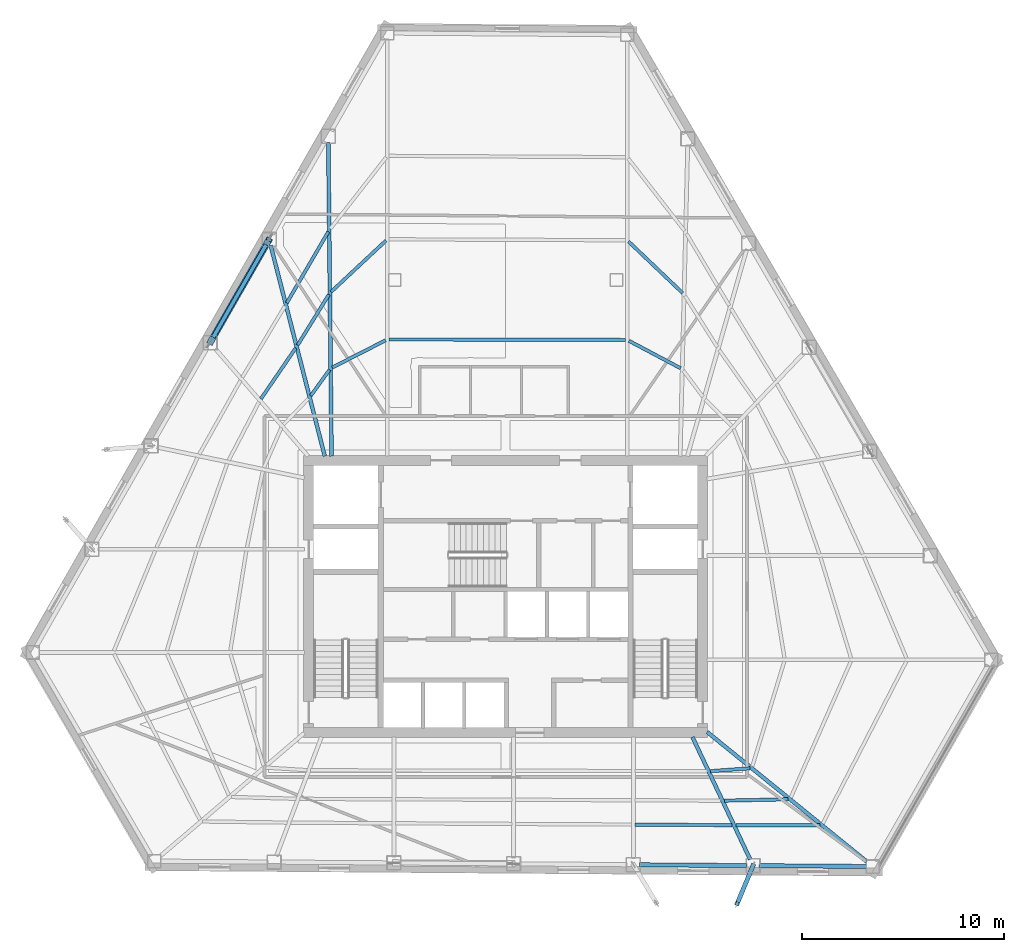
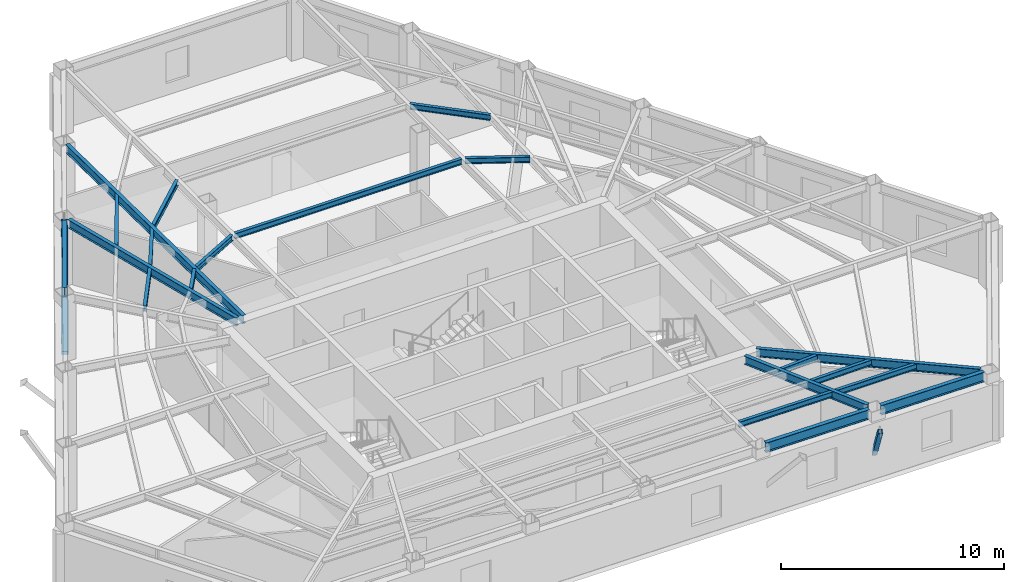
# One storey, part 2 of 13: 20 beams, 2 members.
"""IFC4 building model written with IfcOpenShell, lengths in metres."""

from ifc_helpers import new_model, si_unit, direction, frame, origin, origin_2d, place, context, subcontext, project, spatial, hollow_rectangle, i_section, extrude, material, material_profile, profile_set, type_object, element, save


model = new_model("IFC4")

# Units and contexts
model_context = context("Model", 3, precision=1e-05, world=origin(), true_north=direction((0.0, 1.0)))
body_context = subcontext(model_context, "Body", "Model", "MODEL_VIEW")
ifc_project = project(units=[si_unit("LENGTHUNIT", "METRE"), si_unit("AREAUNIT", "SQUARE_METRE"), si_unit("VOLUMEUNIT", "CUBIC_METRE"), si_unit("PLANEANGLEUNIT", "RADIAN"), si_unit("MASSUNIT", "GRAM", prefix="KILO")], contexts=[model_context])

# Site, building, storey
site_placement = place(None, origin())
site = spatial("IfcSite", under=ifc_project, at=site_placement, CompositionType="ELEMENT")
building_placement = place(site_placement, origin())
building = spatial("IfcBuilding", under=site, at=building_placement, Name="Kavelnor Concourse Tower", CompositionType="ELEMENT")
storey_placement = place(building_placement, frame((0.0, 0.0, 116.300048828125)))
storey = spatial("IfcBuildingStorey", under=building, at=storey_placement, Name="L29", CompositionType="ELEMENT", Elevation=116.300048828125)

# Beams
ifc_material = material(Name="Steel Grade 350", Category="steel")
ifc_material_profile_1 = material_profile(ifc_material, i_section(OverallWidth=0.166015625, OverallDepth=0.306884765625, WebThickness=0.006591796875, FlangeThickness=0.01171875, at=origin_2d()), Name="310UB46")
ifc_profile_set_1 = profile_set([ifc_material_profile_1], Name="Steel Grade 350")
beam_type_1 = type_object("IfcBeamType", Name="BM-JOIST-310", PredefinedType="JOIST", material=ifc_profile_set_1)
beam_1_placement = place(storey_placement, frame((44.421875, 4.7919921875, 3.446533203125), z_axis=(0.999981796699, -0.006033760968, 0.0), x_axis=(0.006033760968, 0.999981796699, 0.0)))
element("IfcBeam", 1, at=beam_1_placement, inside=storey, type_object=beam_type_1, Name="L29 Secondary Composite Joist 06-3", PredefinedType="JOIST", context=body_context, shape_type="SweptSolid", body=[
    extrude(i_section(OverallWidth=0.166015625, OverallDepth=0.306884765625, WebThickness=0.006591796875, FlangeThickness=0.01171875, at=origin_2d()), origin(), (0.0, 0.0, 1.0), 4.81494140625),
])
beam_2_placement = place(storey_placement, frame((48.154052734375, 7.441650390625, 3.446533203125), z_axis=(0.997404214701, 0.072005780997, 0.0), x_axis=(-0.072005780997, 0.997404214701, 0.0)))
element("IfcBeam", 2, at=beam_2_placement, inside=storey, type_object=beam_type_1, Name="L29 Secondary Composite Joist 07-1", PredefinedType="JOIST", context=body_context, shape_type="SweptSolid", body=[
    extrude(i_section(OverallWidth=0.166015625, OverallDepth=0.306884765625, WebThickness=0.006591796875, FlangeThickness=0.01171875, at=origin_2d()), origin(), (0.0, 0.0, 1.0), 1.966552734375),
])
beam_3_placement = place(storey_placement, frame((48.841796875, 5.979248046875, 3.446533203125), z_axis=(0.999779335407, 0.021006677331, 0.0), x_axis=(-0.021006677331, 0.999779335407, 0.0)))
element("IfcBeam", 3, at=beam_3_placement, inside=storey, type_object=beam_type_1, Name="L29 Secondary Composite Joist 07-2", PredefinedType="JOIST", context=body_context, shape_type="SweptSolid", body=[
    extrude(i_section(OverallWidth=0.166015625, OverallDepth=0.306884765625, WebThickness=0.006591796875, FlangeThickness=0.01171875, at=origin_2d()), origin(), (0.0, 0.0, 1.0), 3.1728515625),
])
beam_4_placement = place(storey_placement, frame((49.414794921875, 4.762451171875, 3.446533203125), z_axis=(0.999999993182, 0.000116774682, 0.0), x_axis=(-0.000116774682, 0.999999993182, 0.0)))
element("IfcBeam", 4, at=beam_4_placement, inside=storey, type_object=beam_type_1, Name="L29 Secondary Composite Joist 07-3", PredefinedType="JOIST", context=body_context, shape_type="SweptSolid", body=[
    extrude(i_section(OverallWidth=0.166015625, OverallDepth=0.306884765625, WebThickness=0.006591796875, FlangeThickness=0.01171875, at=origin_2d()), origin(), (0.0, 0.0, 1.0), 4.181396484375),
])
beam_5_placement = place(storey_placement, frame((46.679931640625, 27.42333984375, 3.446533203125), z_axis=(-0.88361244888, 0.468219008782, 0.0), x_axis=(-0.468219008782, -0.88361244888, 0.0)))
element("IfcBeam", 5, at=beam_5_placement, inside=storey, type_object=beam_type_1, Name="L29 Secondary Composite Joist 14-1", PredefinedType="JOIST", context=body_context, shape_type="SweptSolid", body=[
    extrude(i_section(OverallWidth=0.166015625, OverallDepth=0.306884765625, WebThickness=0.006591796875, FlangeThickness=0.01171875, at=origin_2d()), origin(), (0.0, 0.0, 1.0), 2.91162109375),
])
beam_6_placement = place(storey_placement, frame((46.784423828125, 31.1474609375, 3.446533203125), z_axis=(-0.724106689117, 0.689687974939, 0.0), x_axis=(-0.689687974939, -0.724106689117, 0.0)))
element("IfcBeam", 6, at=beam_6_placement, inside=storey, type_object=beam_type_1, Name="L29 Secondary Composite Joist 14-2", PredefinedType="JOIST", context=body_context, shape_type="SweptSolid", body=[
    extrude(i_section(OverallWidth=0.166015625, OverallDepth=0.306884765625, WebThickness=0.006591796875, FlangeThickness=0.01171875, at=origin_2d()), origin(), (0.0, 0.0, 1.0), 3.716796875),
])
beam_7_placement = place(storey_placement, frame((43.939697265625, 28.828369140625, 3.446533203125), z_axis=(-0.999997829778, 0.002083372216, 0.0), x_axis=(-0.002083372216, -0.999997829778, 0.0)))
element("IfcBeam", 7, at=beam_7_placement, inside=storey, type_object=beam_type_1, Name="L29 Secondary Composite Joist 15-1", PredefinedType="JOIST", context=body_context, shape_type="SweptSolid", body=[
    extrude(i_section(OverallWidth=0.166015625, OverallDepth=0.306884765625, WebThickness=0.006591796875, FlangeThickness=0.01171875, at=origin_2d()), origin(), (0.0, 0.0, 1.0), 11.718505859375),
])
beam_8_placement = place(storey_placement, frame((32.052978515625, 28.8125, 3.446533203125), z_axis=(-0.890890534223, -0.45421807101, 0.0), x_axis=(0.45421807101, -0.890890534223, 0.0)))
element("IfcBeam", 8, at=beam_8_placement, inside=storey, type_object=beam_type_1, Name="L29 Secondary Composite Joist 16-1", PredefinedType="JOIST", context=body_context, shape_type="SweptSolid", body=[
    extrude(i_section(OverallWidth=0.166015625, OverallDepth=0.306884765625, WebThickness=0.006591796875, FlangeThickness=0.01171875, at=origin_2d()), origin(), (0.0, 0.0, 1.0), 2.977783203125),
])
beam_9_placement = place(storey_placement, frame((32.067138671875, 33.7578125, 3.446533203125), z_axis=(-0.73073889568, -0.682657063496, 0.0), x_axis=(0.682657063496, -0.73073889568, 0.0)))
element("IfcBeam", 9, at=beam_9_placement, inside=storey, type_object=beam_type_1, Name="L29 Secondary Composite Joist 16-2", PredefinedType="JOIST", context=body_context, shape_type="SweptSolid", body=[
    extrude(i_section(OverallWidth=0.166015625, OverallDepth=0.306884765625, WebThickness=0.006591796875, FlangeThickness=0.01171875, at=origin_2d()), origin(), (0.0, 0.0, 1.0), 3.721923828125),
])
beam_10_placement = place(storey_placement, frame((29.2685546875, 27.34765625, 3.446533203125), z_axis=(-0.587770755925, -0.809027526404, 0.0), x_axis=(0.809027526404, -0.587770755925, 0.0)))
element("IfcBeam", 10, at=beam_10_placement, inside=storey, type_object=beam_type_1, Name="L29 Secondary Composite Joist 17-1", PredefinedType="JOIST", context=body_context, shape_type="SweptSolid", body=[
    extrude(i_section(OverallWidth=0.166015625, OverallDepth=0.306884765625, WebThickness=0.006591796875, FlangeThickness=0.01171875, at=origin_2d()), origin(), (0.0, 0.0, 1.0), 1.59326171875),
])
beam_11_placement = place(storey_placement, frame((29.235595703125, 31.08056640625, 3.446533203125), z_axis=(-0.525918922474, -0.850534706514, 0.0), x_axis=(0.850534706514, -0.525918922474, 0.0)))
element("IfcBeam", 11, at=beam_11_placement, inside=storey, type_object=beam_type_1, Name="L29 Secondary Composite Joist 17-2", PredefinedType="JOIST", context=body_context, shape_type="SweptSolid", body=[
    extrude(i_section(OverallWidth=0.166015625, OverallDepth=0.306884765625, WebThickness=0.006591796875, FlangeThickness=0.01171875, at=origin_2d()), origin(), (0.0, 0.0, 1.0), 2.951904296875),
])
beam_12_placement = place(storey_placement, frame((29.205322265625, 34.193359375, 3.446533203125), z_axis=(-0.503807929112, -0.86381570405, 0.0), x_axis=(0.86381570405, -0.503807929112, 0.0)))
element("IfcBeam", 12, at=beam_12_placement, inside=storey, type_object=beam_type_1, Name="L29 Secondary Composite Joist 17-3", PredefinedType="JOIST", context=body_context, shape_type="SweptSolid", body=[
    extrude(i_section(OverallWidth=0.166015625, OverallDepth=0.306884765625, WebThickness=0.006591796875, FlangeThickness=0.01171875, at=origin_2d()), origin(), (0.0, 0.0, 1.0), 4.08984375),
])
beam_13_placement = place(storey_placement, frame((27.5859375, 28.420654296875, 3.446533203125), z_axis=(-0.565386783434, -0.824825912007, 0.0), x_axis=(0.824825912007, -0.565386783434, 0.0)))
element("IfcBeam", 13, at=beam_13_placement, inside=storey, type_object=beam_type_1, Name="L29 Secondary Composite Joist 18-2", PredefinedType="JOIST", context=body_context, shape_type="SweptSolid", body=[
    extrude(i_section(OverallWidth=0.166015625, OverallDepth=0.306884765625, WebThickness=0.006591796875, FlangeThickness=0.01171875, at=origin_2d()), origin(), (0.0, 0.0, 1.0), 3.0498046875),
])
ifc_material_profile_2 = material_profile(ifc_material, i_section(OverallWidth=0.18994140625, OverallDepth=0.4541015625, WebThickness=0.008544921875, FlangeThickness=0.0126953125, at=origin_2d()), Name="460UB67")
ifc_profile_set_2 = profile_set([ifc_material_profile_2], Name="Steel Grade 350")
beam_type_2 = type_object("IfcBeamType", Name="BM-PRIMARY-460", PredefinedType="BEAM", material=ifc_profile_set_2)
beam_14_placement = place(storey_placement, frame((29.365966796875, 23.06005859375, 3.373046875), z_axis=(-0.010332813048, 0.999946615062, 0.0), x_axis=(-0.999946615062, -0.010332813048, 0.0)))
element("IfcBeam", 14, at=beam_14_placement, inside=storey, type_object=beam_type_2, Name="L29 Primary Floor Girder F0-B1", PredefinedType="BEAM", context=body_context, shape_type="SweptSolid", body=[
    extrude(i_section(OverallWidth=0.18994140625, OverallDepth=0.4541015625, WebThickness=0.008544921875, FlangeThickness=0.0126953125, at=origin_2d()), origin(), (0.0, 0.0, 1.0), 15.570556640625),
])
beam_15_placement = place(storey_placement, frame((29.030517578125, 23.061279296875, 3.373046875), z_axis=(-0.248591535003, 0.968608408349, 0.0), x_axis=(-0.968608408349, -0.248591535003, 0.0)))
element("IfcBeam", 15, at=beam_15_placement, inside=storey, type_object=beam_type_2, Name="L29 Primary Floor Girder F0-B2", PredefinedType="BEAM", context=body_context, shape_type="SweptSolid", body=[
    extrude(i_section(OverallWidth=0.18994140625, OverallDepth=0.4541015625, WebThickness=0.008544921875, FlangeThickness=0.0126953125, at=origin_2d()), origin(), (0.0, 0.0, 1.0), 10.786376953125),
])
beam_16_placement = place(storey_placement, frame((47.26318359375, 9.13623046875, 3.373046875), z_axis=(0.426505903946, -0.904484778147, 0.0), x_axis=(0.904484778147, 0.426505903946, 0.0)))
element("IfcBeam", 16, at=beam_16_placement, inside=storey, type_object=beam_type_2, Name="L29 Primary Floor Girder F1-B5", PredefinedType="BEAM", context=body_context, shape_type="SweptSolid", body=[
    extrude(i_section(OverallWidth=0.18994140625, OverallDepth=0.4541015625, WebThickness=0.008544921875, FlangeThickness=0.0126953125, at=origin_2d()), origin(), (0.0, 0.0, 1.0), 6.71630859375),
])
beam_17_placement = place(storey_placement, frame((47.989013671875, 9.388427734375, 3.373046875), z_axis=(0.776302289816, -0.630360813206, 0.0), x_axis=(0.630360813206, 0.776302289816, 0.0)))
element("IfcBeam", 17, at=beam_17_placement, inside=storey, type_object=beam_type_2, Name="L29 Primary Floor Girder F1-B6", PredefinedType="BEAM", context=body_context, shape_type="SweptSolid", body=[
    extrude(i_section(OverallWidth=0.18994140625, OverallDepth=0.4541015625, WebThickness=0.008544921875, FlangeThickness=0.0126953125, at=origin_2d()), origin(), (0.0, 0.0, 1.0), 10.191162109375),
])
ifc_material_profile_3 = material_profile(ifc_material, i_section(OverallWidth=0.208984375, OverallDepth=0.532958984375, WebThickness=0.01025390625, FlangeThickness=0.015625, at=origin_2d()), Name="530UB92")
ifc_profile_set_3 = profile_set([ifc_material_profile_3], Name="Steel Grade 350")
beam_type_3 = type_object("IfcBeamType", Name="BM-SPANDREL-Z2", PredefinedType="SPANDREL", material=ifc_profile_set_3)
beam_18_placement = place(storey_placement, frame((26.120361328125, 33.545654296875, 3.33349609375), z_axis=(-0.496785055407, -0.867873613335, 0.0), x_axis=(0.867873613335, -0.496785055407, 0.0)))
element("IfcBeam", 18, at=beam_18_placement, inside=storey, type_object=beam_type_3, Name="L29 Perimeter Tube Spandrel Beam F0-B2", PredefinedType="SPANDREL", context=body_context, shape_type="SweptSolid", body=[
    extrude(i_section(OverallWidth=0.208984375, OverallDepth=0.532958984375, WebThickness=0.01025390625, FlangeThickness=0.015625, at=origin_2d()), origin(), (0.0, 0.0, 1.0), 5.288818359375),
])
beam_19_placement = place(storey_placement, frame((44.6376953125, 2.799560546875, 3.33349609375), z_axis=(0.999972453046, -0.00742247594, 0.0), x_axis=(0.00742247594, 0.999972453046, 0.0)))
element("IfcBeam", 19, at=beam_19_placement, inside=storey, type_object=beam_type_3, Name="L29 Perimeter Tube Spandrel Beam F1-B4", PredefinedType="SPANDREL", context=body_context, shape_type="SweptSolid", body=[
    extrude(i_section(OverallWidth=0.208984375, OverallDepth=0.532958984375, WebThickness=0.01025390625, FlangeThickness=0.015625, at=origin_2d()), origin(), (0.0, 0.0, 1.0), 5.32861328125),
])
beam_20_placement = place(storey_placement, frame((50.576171875, 2.75537109375, 3.33349609375), z_axis=(0.999972450522, -0.007422816028, 0.0), x_axis=(0.007422816028, 0.999972450522, 0.0)))
element("IfcBeam", 20, at=beam_20_placement, inside=storey, type_object=beam_type_3, Name="L29 Perimeter Tube Spandrel Beam F1-B5", PredefinedType="SPANDREL", context=body_context, shape_type="SweptSolid", body=[
    extrude(i_section(OverallWidth=0.208984375, OverallDepth=0.532958984375, WebThickness=0.01025390625, FlangeThickness=0.015625, at=origin_2d()), origin(), (0.0, 0.0, 1.0), 5.328369140625),
])

# Members
ifc_material_profile_4 = material_profile(ifc_material, hollow_rectangle(XDim=0.219970703125, YDim=0.219970703125, WallThickness=0.013916015625, at=origin_2d()), Name="SHS 220x220x14")
ifc_profile_set_4 = profile_set([ifc_material_profile_4], Name="Steel Grade 350")
member_type_1 = type_object("IfcMemberType", Name="MBR-BALC-STRUT-220", PredefinedType="STRUT", material=ifc_profile_set_4)
member_1_placement = place(storey_placement, frame((50.27099609375, 2.7578125, 1.050048828125), z_axis=(-0.238848627979, -0.570762812605, 0.785608773284), x_axis=(0.922484354607, -0.386034474503, 0.0)))
element("IfcMember", 21, at=member_1_placement, inside=storey, type_object=member_type_1, Name="L29 Tree Balcony Raking Knee Strut 2-B", PredefinedType="STRUT", context=body_context, shape_type="SweptSolid", body=[
    extrude(hollow_rectangle(XDim=0.219970703125, YDim=0.219970703125, WallThickness=0.013916015625, at=origin_2d()), origin(), (0.0, 0.0, 1.0), 3.31591796875),
])
ifc_material_profile_5 = material_profile(ifc_material, hollow_rectangle(XDim=0.320068359375, YDim=0.320068359375, WallThickness=0.01806640625, at=origin_2d()), Name="SHS 320x320x18")
ifc_profile_set_5 = profile_set([ifc_material_profile_5], Name="Steel Grade 350")
member_type_2 = type_object("IfcMemberType", Name="MBR-TUBE-DIAG-Z2", PredefinedType="BRACE", material=ifc_profile_set_5)
member_2_placement = place(storey_placement, frame((23.341552734375, 28.69091796875, 0.219970703125), z_axis=(0.43931080764, 0.767531105267, 0.46679976086), x_axis=(-0.86789143389, 0.496753921958, 0.0)))
element("IfcMember", 22, at=member_2_placement, inside=storey, type_object=member_type_2, Name="L29 Framed-Tube Bracing Diagonal F0-B2", PredefinedType="BRACE", context=body_context, shape_type="SweptSolid", body=[
    extrude(hollow_rectangle(XDim=0.320068359375, YDim=0.320068359375, WallThickness=0.01806640625, at=origin_2d()), origin(), (0.0, 0.0, 1.0), 6.669921875),
])

save(model, "model.ifc")
